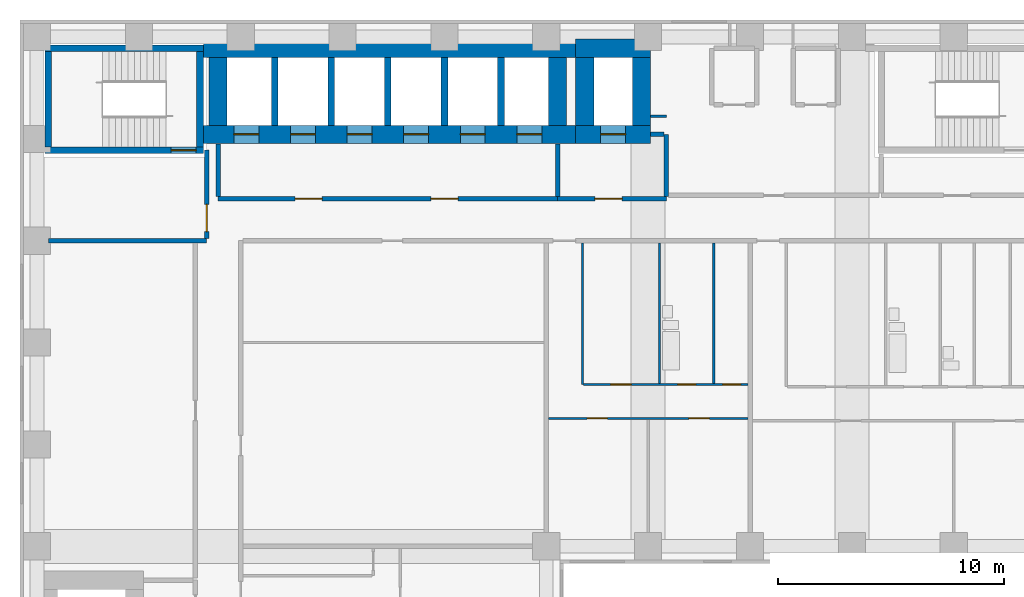
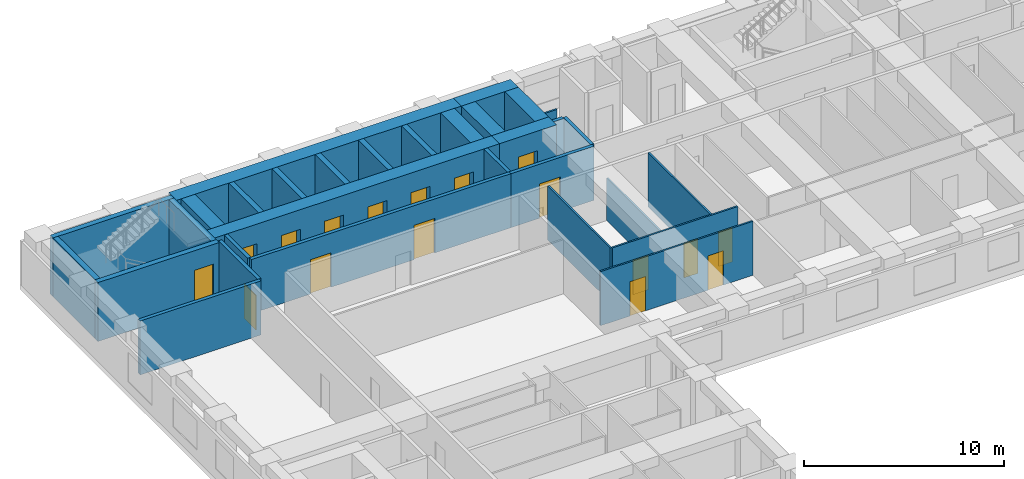
# One storey, part 5 of 11: 31 walls, 17 doors, 17 openings.
"""IFC4 building model written with IfcOpenShell, lengths in metres."""

from ifc_helpers import new_model, si_unit, direction, frame, frame_2d, origin, place, context, subcontext, project, spatial, rectangle, extrude, material, layer, layer_set, type_object, element, fill, save


model = new_model("IFC4")

# Units and contexts
model_context = context("Model", 3, precision=1e-05, world=origin(), true_north=direction((0.0, 1.0)))
body_context = subcontext(model_context, "Body", "Model", "MODEL_VIEW")
ifc_project = project(units=[si_unit("LENGTHUNIT", "METRE"), si_unit("AREAUNIT", "SQUARE_METRE"), si_unit("VOLUMEUNIT", "CUBIC_METRE"), si_unit("PLANEANGLEUNIT", "RADIAN"), si_unit("MASSUNIT", "GRAM", prefix="KILO")], contexts=[model_context])

# Site, building, storey
site_placement = place(None, origin())
site = spatial("IfcSite", under=ifc_project, at=site_placement, CompositionType="ELEMENT")
building_placement = place(site_placement, origin())
building = spatial("IfcBuilding", under=site, at=building_placement, Name="Firuza Court", CompositionType="ELEMENT")
storey_placement = place(building_placement, frame((0.0, 0.0, 83.0)))
storey = spatial("IfcBuildingStorey", under=building, at=storey_placement, Name="L20", CompositionType="ELEMENT", Elevation=83.0)

# Walls
ifc_material_1 = material(Name="Moisture-resistant gypsum board partition")
ifc_layer_1 = layer(ifc_material_1, 0.10009765625)
ifc_layer_set_1 = layer_set([ifc_layer_1], Name="Moisture-resistant gypsum board partition")
wall_type_1 = type_object("IfcWallType", Name="Bathroom partition 100", PredefinedType="PLUMBINGWALL", material=ifc_layer_set_1)
wall_1_placement = place(storey_placement, frame((27.5, 43.199951171875, 0.0), z_axis=(0.0, 0.0, 1.0), x_axis=(0.0, 1.0, 0.0)))
element("IfcWall", 1, at=wall_1_placement, inside=storey, type_object=wall_type_1, Name="Bathroom partition 100 L20", PredefinedType="PLUMBINGWALL", context=body_context, shape_type="SweptSolid", body=[
    extrude(rectangle(XDim=6.199951171875, YDim=0.10009765625, at=frame_2d((3.10009765625, 0.0))), origin(), (0.0, 0.0, 1.0), 2.60009765625),
])
wall_2_placement = place(storey_placement, frame((29.89990234375, 43.199951171875, 0.0), z_axis=(0.0, 0.0, 1.0), x_axis=(0.0, 1.0, 0.0)))
element("IfcWall", 2, at=wall_2_placement, inside=storey, type_object=wall_type_1, Name="Bathroom partition 100 L20", PredefinedType="PLUMBINGWALL", context=body_context, shape_type="SweptSolid", body=[
    extrude(rectangle(XDim=6.199951171875, YDim=0.10009765625, at=frame_2d((3.10009765625, 0.0))), origin(), (0.0, 0.0, 1.0), 3.300048828125),
])

# Wall, opening, door
ifc_material_2 = material(Name="Concrete C60/75", Category="concrete")
ifc_layer_2 = layer(ifc_material_2, 0.300048828125)
ifc_layer_set_2 = layer_set([ifc_layer_2], Name="Concrete C60/75")
wall_type_2 = type_object("IfcWallType", Name="Core wall 300 C60/75", PredefinedType="SHEAR", material=ifc_layer_set_2)
wall_3_placement = place(storey_placement, frame((0.35009765625, 53.5, -0.300048828125), z_axis=(0.0, 0.0, 1.0), x_axis=(1.0, 0.0, 0.0)))
wall_3 = element("IfcWall", 3, at=wall_3_placement, inside=storey, type_object=wall_type_2, Name="Core wall stair L20", PredefinedType="SHEAR", context=body_context, shape_type="SweptSolid", body=[
    extrude(rectangle(XDim=7.0, YDim=0.300048828125, at=frame_2d((3.5, 0.0))), origin(), (0.0, 0.0, 1.0), 3.60009765625),
])
opening_1_placement = place(wall_3_placement, frame((5.580078125, 0.0, 0.300048828125)))
opening_1 = element("IfcOpeningElement", 4, at=opening_1_placement, cuts=wall_3, Name="Opening D20016", PredefinedType="OPENING", context=body_context, shape_type="SweptSolid", body=[
    extrude(rectangle(XDim=1.10009765625, YDim=2.10009765625, at=frame_2d((0.550048828125, 1.050048828125))), frame((0.0, 0.162109375, 0.0), z_axis=(0.0, -1.0, 0.0), x_axis=(1.0, 0.0, 0.0)), (0.0, 0.0, 1.0), 0.323974609375),
])
ifc_material_3 = material(Name="Timber door leaf in hardwood frame", Category="wood")
door_type_1 = type_object("IfcDoorType", Name="Stair door 1100", OperationType="SINGLE_SWING_LEFT", PredefinedType="DOOR", material=ifc_material_3)
door_1_placement = place(opening_1_placement, origin())
door_1 = element("IfcDoor", 5, at=door_1_placement, inside=storey, type_object=door_type_1, Name="Stair door S3", OperationType="SINGLE_SWING_RIGHT", OverallHeight=2.10009765625, OverallWidth=1.10009765625, PredefinedType="DOOR", context=body_context, shape_type="SweptSolid", body=[
    extrude(rectangle(XDim=1.10009765625, YDim=2.10009765625, at=frame_2d((0.550048828125, 1.050048828125))), frame((0.0, 0.02490234375, 0.0), z_axis=(0.0, -1.0, 0.0), x_axis=(1.0, 0.0, 0.0)), (0.0, 0.0, 1.0), 0.050048828125),
])
fill(opening_1, door_1)

# Walls
wall_4_placement = place(storey_placement, frame((0.35009765625, 58.0, -0.300048828125), z_axis=(0.0, 0.0, 1.0), x_axis=(1.0, 0.0, 0.0)))
element("IfcWall", 6, at=wall_4_placement, inside=storey, type_object=wall_type_2, Name="Core wall stair L20", PredefinedType="SHEAR", context=body_context, shape_type="SweptSolid", body=[
    extrude(rectangle(XDim=7.0, YDim=0.300048828125, at=frame_2d((3.5, 0.0))), origin(), (0.0, 0.0, 1.0), 3.60009765625),
])
for number, where, z_axis, x_axis, name in (
    (7, (0.5, 53.64990234375, -0.300048828125), (0.0, 0.0, 1.0), (0.0, 1.0, 0.0), "Core wall stair L20"),
    (8, (7.199951171875, 53.64990234375, -0.300048828125), (0.0, 0.0, 1.0), (0.0, 1.0, 0.0), "Core wall stair L20"),
):
    element("IfcWall", number, at=place(storey_placement, frame(where, z_axis=z_axis, x_axis=x_axis)), inside=storey, type_object=wall_type_2, Name=name, PredefinedType="SHEAR", context=body_context, shape_type="SweptSolid", body=[
        extrude(rectangle(XDim=4.2001953125, YDim=0.300048828125, at=frame_2d((2.10009765625, 0.0))), origin(), (0.0, 0.0, 1.0), 3.60009765625),
    ])
for number, where, z_axis, x_axis, name in (
    (9, (10.5, 54.60009765625, -0.300048828125), (0.0, 0.0, 1.0), (0.0, 1.0, 0.0), "Core wall lift shaft L20"),
    (10, (13.0, 54.60009765625, -0.300048828125), (0.0, 0.0, 1.0), (0.0, 1.0, 0.0), "Core wall lift shaft L20"),
    (11, (15.5, 54.60009765625, -0.300048828125), (0.0, 0.0, 1.0), (0.0, 1.0, 0.0), "Core wall lift shaft L20"),
    (12, (18.0, 54.60009765625, -0.300048828125), (0.0, 0.0, 1.0), (0.0, 1.0, 0.0), "Core wall lift shaft L20"),
    (13, (20.5, 54.60009765625, -0.300048828125), (0.0, 0.0, 1.0), (0.0, 1.0, 0.0), "Core wall lift shaft L20"),
):
    element("IfcWall", number, at=place(storey_placement, frame(where, z_axis=z_axis, x_axis=x_axis)), inside=storey, type_object=wall_type_2, Name=name, PredefinedType="SHEAR", context=body_context, shape_type="SweptSolid", body=[
        extrude(rectangle(XDim=3.0, YDim=0.300048828125, at=frame_2d((1.5, 0.0))), origin(), (0.0, 0.0, 1.0), 3.60009765625),
    ])

# Wall, openings, doors
ifc_layer_3 = layer(ifc_material_2, 0.800048828125)
ifc_layer_set_3 = layer_set([ifc_layer_3], Name="Concrete C60/75")
wall_type_3 = type_object("IfcWallType", Name="Core wall 800 C60/75", PredefinedType="SHEAR", material=ifc_layer_set_3)
wall_5_placement = place(storey_placement, frame((7.35009765625, 54.199951171875, -0.300048828125), z_axis=(0.0, 0.0, 1.0), x_axis=(1.0, 0.0, 0.0)))
wall_5 = element("IfcWall", 14, at=wall_5_placement, inside=storey, type_object=wall_type_3, Name="Core wall lift shaft L20", PredefinedType="SHEAR", context=body_context, shape_type="SweptSolid", body=[
    extrude(rectangle(XDim=16.449951171875, YDim=0.800048828125, at=frame_2d((8.22509765625, 0.0))), origin(), (0.0, 0.0, 1.0), 3.60009765625),
])
opening_2_placement = place(wall_5_placement, frame((1.35009765625, 0.0, 0.300048828125)))
opening_2 = element("IfcOpeningElement", 15, at=opening_2_placement, cuts=wall_5, Name="Opening LD-LB1-20", PredefinedType="OPENING", context=body_context, shape_type="SweptSolid", body=[
    extrude(rectangle(XDim=1.10009765625, YDim=2.10009765625, at=frame_2d((0.550048828125, 1.050048828125))), frame((0.0, 0.412109375, 0.0), z_axis=(0.0, -1.0, 0.0), x_axis=(1.0, 0.0, 0.0)), (0.0, 0.0, 1.0), 0.823974609375),
])
opening_3_placement = place(wall_5_placement, frame((3.85009765625, 0.0, 0.300048828125)))
opening_3 = element("IfcOpeningElement", 16, at=opening_3_placement, cuts=wall_5, Name="Opening LD-LB2-20", PredefinedType="OPENING", context=body_context, shape_type="SweptSolid", body=[
    extrude(rectangle(XDim=1.10009765625, YDim=2.10009765625, at=frame_2d((0.550048828125, 1.050048828125))), frame((0.0, 0.412109375, 0.0), z_axis=(0.0, -1.0, 0.0), x_axis=(1.0, 0.0, 0.0)), (0.0, 0.0, 1.0), 0.823974609375),
])
opening_4_placement = place(wall_5_placement, frame((6.35009765625, 0.0, 0.300048828125)))
opening_4 = element("IfcOpeningElement", 17, at=opening_4_placement, cuts=wall_5, Name="Opening LD-LB3-20", PredefinedType="OPENING", context=body_context, shape_type="SweptSolid", body=[
    extrude(rectangle(XDim=1.10009765625, YDim=2.10009765625, at=frame_2d((0.550048828125, 1.050048828125))), frame((0.0, 0.412109375, 0.0), z_axis=(0.0, -1.0, 0.0), x_axis=(1.0, 0.0, 0.0)), (0.0, 0.0, 1.0), 0.823974609375),
])
opening_5_placement = place(wall_5_placement, frame((8.85009765625, 0.0, 0.300048828125)))
opening_5 = element("IfcOpeningElement", 18, at=opening_5_placement, cuts=wall_5, Name="Opening LD-LB4-20", PredefinedType="OPENING", context=body_context, shape_type="SweptSolid", body=[
    extrude(rectangle(XDim=1.10009765625, YDim=2.10009765625, at=frame_2d((0.550048828125, 1.050048828125))), frame((0.0, 0.412109375, 0.0), z_axis=(0.0, -1.0, 0.0), x_axis=(1.0, 0.0, 0.0)), (0.0, 0.0, 1.0), 0.823974609375),
])
opening_6_placement = place(wall_5_placement, frame((11.35009765625, 0.0, 0.300048828125)))
opening_6 = element("IfcOpeningElement", 19, at=opening_6_placement, cuts=wall_5, Name="Opening LD-LB5-20", PredefinedType="OPENING", context=body_context, shape_type="SweptSolid", body=[
    extrude(rectangle(XDim=1.10009765625, YDim=2.10009765625, at=frame_2d((0.550048828125, 1.050048828125))), frame((0.0, 0.412109375, 0.0), z_axis=(0.0, -1.0, 0.0), x_axis=(1.0, 0.0, 0.0)), (0.0, 0.0, 1.0), 0.823974609375),
])
opening_7_placement = place(wall_5_placement, frame((13.85009765625, 0.0, 0.300048828125)))
opening_7 = element("IfcOpeningElement", 20, at=opening_7_placement, cuts=wall_5, Name="Opening LD-LB6-20", PredefinedType="OPENING", context=body_context, shape_type="SweptSolid", body=[
    extrude(rectangle(XDim=1.10009765625, YDim=2.10009765625, at=frame_2d((0.550048828125, 1.050048828125))), frame((0.0, 0.412109375, 0.0), z_axis=(0.0, -1.0, 0.0), x_axis=(1.0, 0.0, 0.0)), (0.0, 0.0, 1.0), 0.823974609375),
])
ifc_material_4 = material(Name="Stainless steel 1.4301 door leaf", Category="steel")
door_type_2 = type_object("IfcDoorType", Name="Lift landing door 1100", OperationType="SLIDING_TO_LEFT", PredefinedType="DOOR", material=ifc_material_4)
door_2_placement = place(opening_2_placement, origin())
door_2 = element("IfcDoor", 21, at=door_2_placement, inside=storey, type_object=door_type_2, Name="Landing door LB1", OperationType="SLIDING_TO_LEFT", OverallHeight=2.10009765625, OverallWidth=1.10009765625, PredefinedType="DOOR", context=body_context, shape_type="SweptSolid", body=[
    extrude(rectangle(XDim=1.10009765625, YDim=2.10009765625, at=frame_2d((0.550048828125, 1.050048828125))), frame((0.0, 0.02490234375, 0.0), z_axis=(0.0, -1.0, 0.0), x_axis=(1.0, 0.0, 0.0)), (0.0, 0.0, 1.0), 0.050048828125),
])
fill(opening_2, door_2)
door_3_placement = place(opening_3_placement, origin())
door_3 = element("IfcDoor", 22, at=door_3_placement, inside=storey, type_object=door_type_2, Name="Landing door LB2", OperationType="SLIDING_TO_LEFT", OverallHeight=2.10009765625, OverallWidth=1.10009765625, PredefinedType="DOOR", context=body_context, shape_type="SweptSolid", body=[
    extrude(rectangle(XDim=1.10009765625, YDim=2.10009765625, at=frame_2d((0.550048828125, 1.050048828125))), frame((0.0, 0.02490234375, 0.0), z_axis=(0.0, -1.0, 0.0), x_axis=(1.0, 0.0, 0.0)), (0.0, 0.0, 1.0), 0.050048828125),
])
fill(opening_3, door_3)
door_4_placement = place(opening_4_placement, origin())
door_4 = element("IfcDoor", 23, at=door_4_placement, inside=storey, type_object=door_type_2, Name="Landing door LB3", OperationType="SLIDING_TO_LEFT", OverallHeight=2.10009765625, OverallWidth=1.10009765625, PredefinedType="DOOR", context=body_context, shape_type="SweptSolid", body=[
    extrude(rectangle(XDim=1.10009765625, YDim=2.10009765625, at=frame_2d((0.550048828125, 1.050048828125))), frame((0.0, 0.02490234375, 0.0), z_axis=(0.0, -1.0, 0.0), x_axis=(1.0, 0.0, 0.0)), (0.0, 0.0, 1.0), 0.050048828125),
])
fill(opening_4, door_4)
door_5_placement = place(opening_5_placement, origin())
door_5 = element("IfcDoor", 24, at=door_5_placement, inside=storey, type_object=door_type_2, Name="Landing door LB4", OperationType="SLIDING_TO_LEFT", OverallHeight=2.10009765625, OverallWidth=1.10009765625, PredefinedType="DOOR", context=body_context, shape_type="SweptSolid", body=[
    extrude(rectangle(XDim=1.10009765625, YDim=2.10009765625, at=frame_2d((0.550048828125, 1.050048828125))), frame((0.0, 0.02490234375, 0.0), z_axis=(0.0, -1.0, 0.0), x_axis=(1.0, 0.0, 0.0)), (0.0, 0.0, 1.0), 0.050048828125),
])
fill(opening_5, door_5)
door_6_placement = place(opening_6_placement, origin())
door_6 = element("IfcDoor", 25, at=door_6_placement, inside=storey, type_object=door_type_2, Name="Landing door LB5", OperationType="SLIDING_TO_LEFT", OverallHeight=2.10009765625, OverallWidth=1.10009765625, PredefinedType="DOOR", context=body_context, shape_type="SweptSolid", body=[
    extrude(rectangle(XDim=1.10009765625, YDim=2.10009765625, at=frame_2d((0.550048828125, 1.050048828125))), frame((0.0, 0.02490234375, 0.0), z_axis=(0.0, -1.0, 0.0), x_axis=(1.0, 0.0, 0.0)), (0.0, 0.0, 1.0), 0.050048828125),
])
fill(opening_6, door_6)
door_7_placement = place(opening_7_placement, origin())
door_7 = element("IfcDoor", 26, at=door_7_placement, inside=storey, type_object=door_type_2, Name="Landing door LB6", OperationType="SLIDING_TO_LEFT", OverallHeight=2.10009765625, OverallWidth=1.10009765625, PredefinedType="DOOR", context=body_context, shape_type="SweptSolid", body=[
    extrude(rectangle(XDim=1.10009765625, YDim=2.10009765625, at=frame_2d((0.550048828125, 1.050048828125))), frame((0.0, 0.02490234375, 0.0), z_axis=(0.0, -1.0, 0.0), x_axis=(1.0, 0.0, 0.0)), (0.0, 0.0, 1.0), 0.050048828125),
])
fill(opening_7, door_7)

# Walls
wall_6_placement = place(storey_placement, frame((7.35009765625, 58.0, -0.300048828125), z_axis=(0.0, 0.0, 1.0), x_axis=(1.0, 0.0, 0.0)))
element("IfcWall", 27, at=wall_6_placement, inside=storey, type_object=wall_type_3, Name="Core wall lift shaft L20", PredefinedType="SHEAR", context=body_context, shape_type="SweptSolid", body=[
    extrude(rectangle(XDim=16.449951171875, YDim=0.800048828125, at=frame_2d((8.22509765625, 0.0))), origin(), (0.0, 0.0, 1.0), 3.60009765625),
])
for number, where, z_axis, x_axis, name in (
    (28, (8.0, 54.60009765625, -0.300048828125), (0.0, 0.0, 1.0), (0.0, 1.0, 0.0), "Core wall lift shaft L20"),
    (29, (23.0, 54.60009765625, -0.300048828125), (0.0, 0.0, 1.0), (0.0, 1.0, 0.0), "Core wall lift shaft L20"),
):
    element("IfcWall", number, at=place(storey_placement, frame(where, z_axis=z_axis, x_axis=x_axis)), inside=storey, type_object=wall_type_3, Name=name, PredefinedType="SHEAR", context=body_context, shape_type="SweptSolid", body=[
        extrude(rectangle(XDim=3.0, YDim=0.800048828125, at=frame_2d((1.5, 0.0))), origin(), (0.0, 0.0, 1.0), 3.60009765625),
    ])

# Wall, opening, door
wall_7_placement = place(storey_placement, frame((23.800048828125, 54.199951171875, -0.300048828125), z_axis=(0.0, 0.0, 1.0), x_axis=(1.0, 0.0, 0.0)))
wall_7 = element("IfcWall", 30, at=wall_7_placement, inside=storey, type_object=wall_type_3, Name="Core wall lift shaft L20", PredefinedType="SHEAR", context=body_context, shape_type="SweptSolid", body=[
    extrude(rectangle(XDim=3.300048828125, YDim=0.800048828125, at=frame_2d((1.64990234375, 0.0))), origin(), (0.0, 0.0, 1.0), 3.60009765625),
])
opening_8_placement = place(wall_7_placement, frame((1.10009765625, 0.0, 0.300048828125)))
opening_8 = element("IfcOpeningElement", 31, at=opening_8_placement, cuts=wall_7, Name="Opening LD-FL3-20", PredefinedType="OPENING", context=body_context, shape_type="SweptSolid", body=[
    extrude(rectangle(XDim=1.10009765625, YDim=2.10009765625, at=frame_2d((0.550048828125, 1.050048828125))), frame((0.0, 0.412109375, 0.0), z_axis=(0.0, -1.0, 0.0), x_axis=(1.0, 0.0, 0.0)), (0.0, 0.0, 1.0), 0.823974609375),
])
door_8_placement = place(opening_8_placement, origin())
door_8 = element("IfcDoor", 32, at=door_8_placement, inside=storey, type_object=door_type_2, Name="Landing door FL3", OperationType="SLIDING_TO_LEFT", OverallHeight=2.10009765625, OverallWidth=1.10009765625, PredefinedType="DOOR", context=body_context, shape_type="SweptSolid", body=[
    extrude(rectangle(XDim=1.10009765625, YDim=2.10009765625, at=frame_2d((0.550048828125, 1.050048828125))), frame((0.0, 0.02490234375, 0.0), z_axis=(0.0, -1.0, 0.0), x_axis=(1.0, 0.0, 0.0)), (0.0, 0.0, 1.0), 0.050048828125),
])
fill(opening_8, door_8)

# Walls
wall_8_placement = place(storey_placement, frame((23.800048828125, 58.0, -0.300048828125), z_axis=(0.0, 0.0, 1.0), x_axis=(1.0, 0.0, 0.0)))
element("IfcWall", 33, at=wall_8_placement, inside=storey, type_object=wall_type_3, Name="Core wall lift shaft L20", PredefinedType="SHEAR", context=body_context, shape_type="SweptSolid", body=[
    extrude(rectangle(XDim=3.300048828125, YDim=0.800048828125, at=frame_2d((1.64990234375, 0.0))), origin(), (0.0, 0.0, 1.0), 3.60009765625),
])
for number, where, z_axis, x_axis, name in (
    (34, (24.199951171875, 54.60009765625, -0.300048828125), (0.0, 0.0, 1.0), (0.0, 1.0, 0.0), "Core wall lift shaft L20"),
    (35, (26.699951171875, 54.60009765625, -0.300048828125), (0.0, 0.0, 1.0), (0.0, 1.0, 0.0), "Core wall lift shaft L20"),
):
    element("IfcWall", number, at=place(storey_placement, frame(where, z_axis=z_axis, x_axis=x_axis)), inside=storey, type_object=wall_type_3, Name=name, PredefinedType="SHEAR", context=body_context, shape_type="SweptSolid", body=[
        extrude(rectangle(XDim=3.0, YDim=0.800048828125, at=frame_2d((1.5, 0.0))), origin(), (0.0, 0.0, 1.0), 3.60009765625),
    ])

# Wall, openings, doors
ifc_material_5 = material(Name="Timber stud partition, plasterboard both sides", Category="wood")
ifc_layer_4 = layer(ifc_material_5, 0.10009765625)
ifc_layer_set_4 = layer_set([ifc_layer_4], Name="Timber stud partition, plasterboard both sides")
wall_type_4 = type_object("IfcWallType", Name="Partition wall 100", PredefinedType="PARTITIONING", material=ifc_layer_set_4)
wall_9_placement = place(storey_placement, frame((22.60009765625, 41.64990234375, 0.0), z_axis=(0.0, 0.0, 1.0), x_axis=(1.0, 0.0, 0.0)))
wall_9 = element("IfcWall", 36, at=wall_9_placement, inside=storey, type_object=wall_type_4, Name="Partition wall 100 L20", PredefinedType="PARTITIONING", context=body_context, shape_type="SweptSolid", body=[
    extrude(rectangle(XDim=8.7998046875, YDim=0.10009765625, at=frame_2d((4.39990234375, 0.0))), origin(), (0.0, 0.0, 1.0), 3.300048828125),
])
opening_9_placement = place(wall_9_placement, frame((1.699951171875, 0.0, 0.0)))
opening_9 = element("IfcOpeningElement", 37, at=opening_9_placement, cuts=wall_9, Name="Opening D20046", PredefinedType="OPENING", context=body_context, shape_type="SweptSolid", body=[
    extrude(rectangle(XDim=0.89990234375, YDim=2.10009765625, at=frame_2d((0.449951171875, 1.050048828125))), frame((0.0, 0.06201171875, 0.0), z_axis=(0.0, -1.0, 0.0), x_axis=(1.0, 0.0, 0.0)), (0.0, 0.0, 1.0), 0.1240234375),
])
opening_10_placement = place(wall_9_placement, frame((6.199951171875, 0.0, 0.0)))
opening_10 = element("IfcOpeningElement", 38, at=opening_10_placement, cuts=wall_9, Name="Opening D20047", PredefinedType="OPENING", context=body_context, shape_type="SweptSolid", body=[
    extrude(rectangle(XDim=0.89990234375, YDim=2.10009765625, at=frame_2d((0.449951171875, 1.050048828125))), frame((0.0, 0.06201171875, 0.0), z_axis=(0.0, -1.0, 0.0), x_axis=(1.0, 0.0, 0.0)), (0.0, 0.0, 1.0), 0.1240234375),
])
ifc_material_6 = material(Name="Timber door leaf in hardwood frame", Category="wood")
door_type_3 = type_object("IfcDoorType", Name="Room door 900", OperationType="SINGLE_SWING_LEFT", PredefinedType="DOOR", material=ifc_material_6)
door_9_placement = place(opening_9_placement, frame((0.89990234375, 0.0, 0.0), z_axis=(0.0, 0.0, 1.0), x_axis=(-1.0, 0.0, 0.0)))
door_9 = element("IfcDoor", 39, at=door_9_placement, inside=storey, type_object=door_type_3, Name="Living room door", OperationType="SINGLE_SWING_RIGHT", OverallHeight=2.10009765625, OverallWidth=0.89990234375, PredefinedType="DOOR", context=body_context, shape_type="SweptSolid", body=[
    extrude(rectangle(XDim=0.89990234375, YDim=2.10009765625, at=frame_2d((0.449951171875, 1.050048828125))), frame((0.0, 0.02490234375, 0.0), z_axis=(0.0, -1.0, 0.0), x_axis=(1.0, 0.0, 0.0)), (0.0, 0.0, 1.0), 0.050048828125),
])
fill(opening_9, door_9)
door_10_placement = place(opening_10_placement, frame((0.89990234375, 0.0, 0.0), z_axis=(0.0, 0.0, 1.0), x_axis=(-1.0, 0.0, 0.0)))
door_10 = element("IfcDoor", 40, at=door_10_placement, inside=storey, type_object=door_type_3, Name="Bedroom door", OperationType="SINGLE_SWING_RIGHT", OverallHeight=2.10009765625, OverallWidth=0.89990234375, PredefinedType="DOOR", context=body_context, shape_type="SweptSolid", body=[
    extrude(rectangle(XDim=0.89990234375, YDim=2.10009765625, at=frame_2d((0.449951171875, 1.050048828125))), frame((0.0, 0.02490234375, 0.0), z_axis=(0.0, -1.0, 0.0), x_axis=(1.0, 0.0, 0.0)), (0.0, 0.0, 1.0), 0.050048828125),
])
fill(opening_10, door_10)

# Wall
wall_10_placement = place(storey_placement, frame((24.10009765625, 43.14990234375, 0.0), z_axis=(0.0, 0.0, 1.0), x_axis=(0.0, 1.0, 0.0)))
element("IfcWall", 41, at=wall_10_placement, inside=storey, type_object=wall_type_4, Name="Partition wall 100 L20", PredefinedType="PARTITIONING", context=body_context, shape_type="SweptSolid", body=[
    extrude(rectangle(XDim=6.25, YDim=0.10009765625, at=frame_2d((3.125, 0.0))), origin(), (0.0, 0.0, 1.0), 3.300048828125),
])

# Wall, openings, doors
wall_11_placement = place(storey_placement, frame((24.14990234375, 43.14990234375, 0.0), z_axis=(0.0, 0.0, 1.0), x_axis=(1.0, 0.0, 0.0)))
wall_11 = element("IfcWall", 42, at=wall_11_placement, inside=storey, type_object=wall_type_4, Name="Partition wall 100 L20", PredefinedType="PARTITIONING", context=body_context, shape_type="SweptSolid", body=[
    extrude(rectangle(XDim=7.25, YDim=0.10009765625, at=frame_2d((3.625, 0.0))), origin(), (0.0, 0.0, 1.0), 3.300048828125),
])
opening_11_placement = place(wall_11_placement, frame((4.14990234375, 0.0, 0.0)))
opening_11 = element("IfcOpeningElement", 43, at=opening_11_placement, cuts=wall_11, Name="Opening D20058", PredefinedType="OPENING", context=body_context, shape_type="SweptSolid", body=[
    extrude(rectangle(XDim=0.800048828125, YDim=2.10009765625, at=frame_2d((0.39990234375, 1.050048828125))), frame((0.0, 0.06201171875, 0.0), z_axis=(0.0, -1.0, 0.0), x_axis=(1.0, 0.0, 0.0)), (0.0, 0.0, 1.0), 0.1240234375),
])
opening_12_placement = place(wall_11_placement, frame((1.199951171875, 0.0, 0.0)))
opening_12 = element("IfcOpeningElement", 44, at=opening_12_placement, cuts=wall_11, Name="Opening D20059", PredefinedType="OPENING", context=body_context, shape_type="SweptSolid", body=[
    extrude(rectangle(XDim=0.89990234375, YDim=2.10009765625, at=frame_2d((0.449951171875, 1.050048828125))), frame((0.0, 0.06201171875, 0.0), z_axis=(0.0, -1.0, 0.0), x_axis=(1.0, 0.0, 0.0)), (0.0, 0.0, 1.0), 0.1240234375),
])
opening_13_placement = place(wall_11_placement, frame((6.14990234375, 0.0, 0.0)))
opening_13 = element("IfcOpeningElement", 45, at=opening_13_placement, cuts=wall_11, Name="Opening D20060", PredefinedType="OPENING", context=body_context, shape_type="SweptSolid", body=[
    extrude(rectangle(XDim=0.800048828125, YDim=2.10009765625, at=frame_2d((0.39990234375, 1.050048828125))), frame((0.0, 0.06201171875, 0.0), z_axis=(0.0, -1.0, 0.0), x_axis=(1.0, 0.0, 0.0)), (0.0, 0.0, 1.0), 0.1240234375),
])
ifc_material_7 = material(Name="Timber door leaf in hardwood frame", Category="wood")
door_type_4 = type_object("IfcDoorType", Name="Bathroom door 800", OperationType="SINGLE_SWING_LEFT", PredefinedType="DOOR", material=ifc_material_7)
door_11_placement = place(opening_11_placement, origin())
door_11 = element("IfcDoor", 46, at=door_11_placement, inside=storey, type_object=door_type_4, Name="Bathroom door", OperationType="SINGLE_SWING_LEFT", OverallHeight=2.10009765625, OverallWidth=0.800048828125, PredefinedType="DOOR", context=body_context, shape_type="SweptSolid", body=[
    extrude(rectangle(XDim=0.800048828125, YDim=2.10009765625, at=frame_2d((0.39990234375, 1.050048828125))), frame((0.0, 0.02490234375, 0.0), z_axis=(0.0, -1.0, 0.0), x_axis=(1.0, 0.0, 0.0)), (0.0, 0.0, 1.0), 0.050048828125),
])
fill(opening_11, door_11)
ifc_material_8 = material(Name="Timber door leaf in hardwood frame", Category="wood")
door_type_5 = type_object("IfcDoorType", Name="Room door 800", OperationType="SINGLE_SWING_LEFT", PredefinedType="DOOR", material=ifc_material_8)
door_12_placement = place(opening_13_placement, origin())
door_12 = element("IfcDoor", 47, at=door_12_placement, inside=storey, type_object=door_type_5, Name="Store door", OperationType="SINGLE_SWING_LEFT", OverallHeight=2.10009765625, OverallWidth=0.800048828125, PredefinedType="DOOR", context=body_context, shape_type="SweptSolid", body=[
    extrude(rectangle(XDim=0.800048828125, YDim=2.10009765625, at=frame_2d((0.39990234375, 1.050048828125))), frame((0.0, 0.02490234375, 0.0), z_axis=(0.0, -1.0, 0.0), x_axis=(1.0, 0.0, 0.0)), (0.0, 0.0, 1.0), 0.050048828125),
])
fill(opening_13, door_12)
door_13_placement = place(opening_12_placement, origin())
door_13 = element("IfcDoor", 48, at=door_13_placement, inside=storey, type_object=door_type_3, Name="Kitchen door", OperationType="SINGLE_SWING_LEFT", OverallHeight=2.10009765625, OverallWidth=0.89990234375, PredefinedType="DOOR", context=body_context, shape_type="SweptSolid", body=[
    extrude(rectangle(XDim=0.89990234375, YDim=2.10009765625, at=frame_2d((0.449951171875, 1.050048828125))), frame((0.0, 0.02490234375, 0.0), z_axis=(0.0, -1.0, 0.0), x_axis=(1.0, 0.0, 0.0)), (0.0, 0.0, 1.0), 0.050048828125),
])
fill(opening_12, door_13)

# Wall
wall_12_placement = place(storey_placement, frame((27.10009765625, 55.0, 0.0), z_axis=(0.0, 0.0, 1.0), x_axis=(1.0, 0.0, 0.0)))
element("IfcWall", 49, at=wall_12_placement, inside=storey, type_object=wall_type_4, Name="Partition wall 100 L20", PredefinedType="PARTITIONING", context=body_context, shape_type="SweptSolid", body=[
    extrude(rectangle(XDim=0.699951171875, YDim=0.10009765625, at=frame_2d((0.35009765625, 0.0))), origin(), (0.0, 0.0, 1.0), 3.300048828125),
])

# Wall, openings, doors
ifc_material_9 = material(Name="Blockwork, fire-rated", Category="masonry")
ifc_layer_5 = layer(ifc_material_9, 0.199951171875)
ifc_layer_set_5 = layer_set([ifc_layer_5], Name="Blockwork, fire-rated")
wall_type_5 = type_object("IfcWallType", Name="Shaft wall 200", PredefinedType="PARTITIONING", material=ifc_layer_set_5)
wall_13_placement = place(storey_placement, frame((8.0, 51.35009765625, 0.0), z_axis=(0.0, 0.0, 1.0), x_axis=(1.0, 0.0, 0.0)))
wall_13 = element("IfcWall", 50, at=wall_13_placement, inside=storey, type_object=wall_type_5, Name="Shaft wall 200 L20", PredefinedType="PARTITIONING", context=body_context, shape_type="SweptSolid", body=[
    extrude(rectangle(XDim=15.0, YDim=0.199951171875, at=frame_2d((7.5, 0.0))), origin(), (0.0, 0.0, 1.0), 3.300048828125),
])
opening_14_placement = place(wall_13_placement, frame((3.39990234375, 0.0, 0.0)))
opening_14 = element("IfcOpeningElement", 51, at=opening_14_placement, cuts=wall_13, Name="Opening D20004", PredefinedType="OPENING", context=body_context, shape_type="SweptSolid", body=[
    extrude(rectangle(XDim=1.199951171875, YDim=2.10009765625, at=frame_2d((0.60009765625, 1.050048828125))), frame((0.0, 0.11181640625, 0.0), z_axis=(0.0, -1.0, 0.0), x_axis=(1.0, 0.0, 0.0)), (0.0, 0.0, 1.0), 0.223876953125),
])
opening_15_placement = place(wall_13_placement, frame((9.39990234375, 0.0, 0.0)))
opening_15 = element("IfcOpeningElement", 52, at=opening_15_placement, cuts=wall_13, Name="Opening D20005", PredefinedType="OPENING", context=body_context, shape_type="SweptSolid", body=[
    extrude(rectangle(XDim=1.199951171875, YDim=2.10009765625, at=frame_2d((0.60009765625, 1.050048828125))), frame((0.0, 0.11181640625, 0.0), z_axis=(0.0, -1.0, 0.0), x_axis=(1.0, 0.0, 0.0)), (0.0, 0.0, 1.0), 0.223876953125),
])
ifc_material_10 = material(Name="Timber door leaf in hardwood frame", Category="wood")
door_type_6 = type_object("IfcDoorType", Name="Lobby door 1200", OperationType="SINGLE_SWING_LEFT", PredefinedType="DOOR", material=ifc_material_10)
door_14_placement = place(opening_14_placement, origin())
door_14 = element("IfcDoor", 53, at=door_14_placement, inside=storey, type_object=door_type_6, Name="Lobby door", OperationType="SINGLE_SWING_LEFT", OverallHeight=2.10009765625, OverallWidth=1.199951171875, PredefinedType="DOOR", context=body_context, shape_type="SweptSolid", body=[
    extrude(rectangle(XDim=1.199951171875, YDim=2.10009765625, at=frame_2d((0.60009765625, 1.050048828125))), frame((0.0, 0.02490234375, 0.0), z_axis=(0.0, -1.0, 0.0), x_axis=(1.0, 0.0, 0.0)), (0.0, 0.0, 1.0), 0.050048828125),
])
fill(opening_14, door_14)
door_15_placement = place(opening_15_placement, origin())
door_15 = element("IfcDoor", 54, at=door_15_placement, inside=storey, type_object=door_type_6, Name="Lobby door", OperationType="SINGLE_SWING_RIGHT", OverallHeight=2.10009765625, OverallWidth=1.199951171875, PredefinedType="DOOR", context=body_context, shape_type="SweptSolid", body=[
    extrude(rectangle(XDim=1.199951171875, YDim=2.10009765625, at=frame_2d((0.60009765625, 1.050048828125))), frame((0.0, 0.02490234375, 0.0), z_axis=(0.0, -1.0, 0.0), x_axis=(1.0, 0.0, 0.0)), (0.0, 0.0, 1.0), 0.050048828125),
])
fill(opening_15, door_15)

# Walls
for number, where, z_axis, x_axis, name in (
    (55, (23.0, 51.449951171875, 0.0), (0.0, 0.0, 1.0), (0.0, 1.0, 0.0), "Shaft wall 200 L20"),
    (56, (8.0, 51.449951171875, 0.0), (0.0, 0.0, 1.0), (0.0, 1.0, 0.0), "Shaft wall 200 L20"),
):
    element("IfcWall", number, at=place(storey_placement, frame(where, z_axis=z_axis, x_axis=x_axis)), inside=storey, type_object=wall_type_5, Name=name, PredefinedType="PARTITIONING", context=body_context, shape_type="SweptSolid", body=[
        extrude(rectangle(XDim=2.330078125, YDim=0.199951171875, at=frame_2d((1.1650390625, 0.0))), origin(), (0.0, 0.0, 1.0), 3.300048828125),
    ])

# Wall, opening, door
wall_14_placement = place(storey_placement, frame((23.0, 51.35009765625, 0.0), z_axis=(0.0, 0.0, 1.0), x_axis=(1.0, 0.0, 0.0)))
wall_14 = element("IfcWall", 57, at=wall_14_placement, inside=storey, type_object=wall_type_5, Name="Shaft wall 200 L20", PredefinedType="PARTITIONING", context=body_context, shape_type="SweptSolid", body=[
    extrude(rectangle(XDim=4.800048828125, YDim=0.199951171875, at=frame_2d((2.39990234375, 0.0))), origin(), (0.0, 0.0, 1.0), 3.300048828125),
])
opening_16_placement = place(wall_14_placement, frame((1.64990234375, 0.0, 0.0)))
opening_16 = element("IfcOpeningElement", 58, at=opening_16_placement, cuts=wall_14, Name="Opening D20003", PredefinedType="OPENING", context=body_context, shape_type="SweptSolid", body=[
    extrude(rectangle(XDim=1.199951171875, YDim=2.10009765625, at=frame_2d((0.60009765625, 1.050048828125))), frame((0.0, 0.11181640625, 0.0), z_axis=(0.0, -1.0, 0.0), x_axis=(1.0, 0.0, 0.0)), (0.0, 0.0, 1.0), 0.223876953125),
])
door_16_placement = place(opening_16_placement, origin())
door_16 = element("IfcDoor", 59, at=door_16_placement, inside=storey, type_object=door_type_6, Name="Fire-fighting lobby door", OperationType="SINGLE_SWING_LEFT", OverallHeight=2.10009765625, OverallWidth=1.199951171875, PredefinedType="DOOR", context=body_context, shape_type="SweptSolid", body=[
    extrude(rectangle(XDim=1.199951171875, YDim=2.10009765625, at=frame_2d((0.60009765625, 1.050048828125))), frame((0.0, 0.02490234375, 0.0), z_axis=(0.0, -1.0, 0.0), x_axis=(1.0, 0.0, 0.0)), (0.0, 0.0, 1.0), 0.050048828125),
])
fill(opening_16, door_16)

# Walls
wall_15_placement = place(storey_placement, frame((27.800048828125, 51.449951171875, 0.0), z_axis=(0.0, 0.0, 1.0), x_axis=(0.0, 1.0, 0.0)))
element("IfcWall", 60, at=wall_15_placement, inside=storey, type_object=wall_type_5, Name="Shaft wall 200 L20", PredefinedType="PARTITIONING", context=body_context, shape_type="SweptSolid", body=[
    extrude(rectangle(XDim=2.75, YDim=0.199951171875, at=frame_2d((1.375, 0.0))), origin(), (0.0, 0.0, 1.0), 3.300048828125),
])
wall_16_placement = place(storey_placement, frame((27.10009765625, 54.199951171875, 0.0), z_axis=(0.0, 0.0, 1.0), x_axis=(1.0, 0.0, 0.0)))
element("IfcWall", 61, at=wall_16_placement, inside=storey, type_object=wall_type_5, Name="Shaft wall 200 L20", PredefinedType="PARTITIONING", context=body_context, shape_type="SweptSolid", body=[
    extrude(rectangle(XDim=0.599853515625, YDim=0.199951171875, at=frame_2d((0.2998046875, 0.0))), origin(), (0.0, 0.0, 1.0), 3.300048828125),
])
wall_17_placement = place(storey_placement, frame((0.5, 49.5, 0.0), z_axis=(0.0, 0.0, 1.0), x_axis=(1.0, 0.0, 0.0)))
element("IfcWall", 62, at=wall_17_placement, inside=storey, type_object=wall_type_5, Name="Shaft wall 200 L20", PredefinedType="PARTITIONING", context=body_context, shape_type="SweptSolid", body=[
    extrude(rectangle(XDim=7.0, YDim=0.199951171875, at=frame_2d((3.5, 0.0))), origin(), (0.0, 0.0, 1.0), 3.300048828125),
])

# Wall, opening, door
wall_18_placement = place(storey_placement, frame((7.5, 49.60009765625, 0.0), z_axis=(0.0, 0.0, 1.0), x_axis=(0.0, 1.0, 0.0)))
wall_18 = element("IfcWall", 63, at=wall_18_placement, inside=storey, type_object=wall_type_5, Name="Shaft wall 200 L20", PredefinedType="PARTITIONING", context=body_context, shape_type="SweptSolid", body=[
    extrude(rectangle(XDim=3.89990234375, YDim=0.199951171875, at=frame_2d((1.949951171875, 0.0))), origin(), (0.0, 0.0, 1.0), 3.300048828125),
])
opening_17_placement = place(wall_18_placement, frame((0.300048828125, 0.0, 0.0)))
opening_17 = element("IfcOpeningElement", 64, at=opening_17_placement, cuts=wall_18, Name="Opening D20001", PredefinedType="OPENING", context=body_context, shape_type="SweptSolid", body=[
    extrude(rectangle(XDim=1.199951171875, YDim=2.10009765625, at=frame_2d((0.60009765625, 1.050048828125))), frame((0.0, 0.11181640625, 0.0), z_axis=(0.0, -1.0, 0.0), x_axis=(1.0, 0.0, 0.0)), (0.0, 0.0, 1.0), 0.223876953125),
])
door_17_placement = place(opening_17_placement, origin())
door_17 = element("IfcDoor", 65, at=door_17_placement, inside=storey, type_object=door_type_6, Name="Lobby door", OperationType="SINGLE_SWING_LEFT", OverallHeight=2.10009765625, OverallWidth=1.199951171875, PredefinedType="DOOR", context=body_context, shape_type="SweptSolid", body=[
    extrude(rectangle(XDim=1.199951171875, YDim=2.10009765625, at=frame_2d((0.60009765625, 1.050048828125))), frame((0.0, 0.02490234375, 0.0), z_axis=(0.0, -1.0, 0.0), x_axis=(1.0, 0.0, 0.0)), (0.0, 0.0, 1.0), 0.050048828125),
])
fill(opening_17, door_17)

save(model, "model.ifc")
